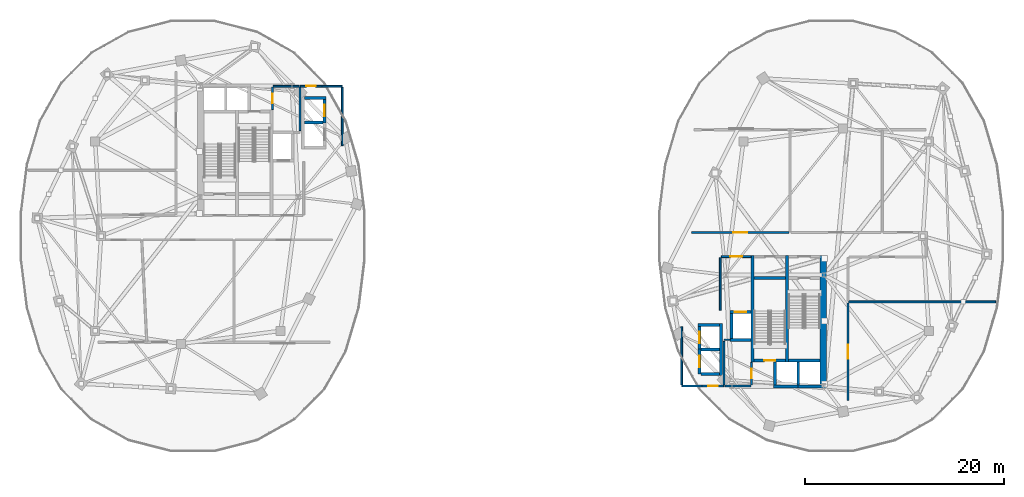
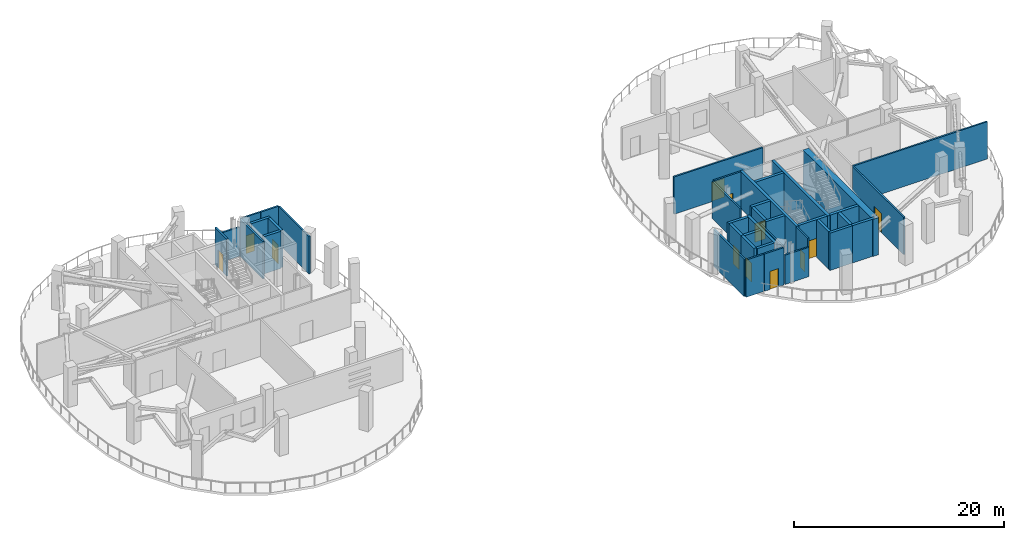
# One storey, part 8 of 14: 40 walls, 12 doors, 12 openings.
"""IFC4 building model written with IfcOpenShell, lengths in metres."""

from ifc_helpers import new_model, si_unit, direction, frame, frame_2d, origin, place, context, subcontext, project, spatial, rectangle, extrude, material, layer, layer_set, type_object, element, fill, save


model = new_model("IFC4")

# Units and contexts
model_context = context("Model", 3, precision=1e-05, world=origin(), true_north=direction((0.0, 1.0)))
body_context = subcontext(model_context, "Body", "Model", "MODEL_VIEW")
ifc_project = project(units=[si_unit("LENGTHUNIT", "METRE"), si_unit("AREAUNIT", "SQUARE_METRE"), si_unit("VOLUMEUNIT", "CUBIC_METRE"), si_unit("PLANEANGLEUNIT", "RADIAN"), si_unit("MASSUNIT", "GRAM", prefix="KILO"), si_unit("THERMODYNAMICTEMPERATUREUNIT", "KELVIN"), si_unit("POWERUNIT", "WATT")], contexts=[model_context])

# Site, building, storey
site_placement = place(None, origin())
site = spatial("IfcSite", under=ifc_project, at=site_placement, CompositionType="ELEMENT")
building_placement = place(site_placement, origin())
building = spatial("IfcBuilding", under=site, at=building_placement, Name="Cundina Bronze Exchange", CompositionType="ELEMENT")
storey_placement = place(building_placement, frame((0.0, 0.0, 187.199951171875)))
storey = spatial("IfcBuildingStorey", under=building, at=storey_placement, Name="L49", CompositionType="ELEMENT", Elevation=187.199951171875)

# Wall
ifc_material_1 = material(Name="Gypsum Fireboard Partition EI120")
ifc_layer_1 = layer(ifc_material_1, 0.179931640625, Name="Gypsum Fireboard Partition EI120")
ifc_layer_set_1 = layer_set([ifc_layer_1], Name="Gypsum Fireboard Partition EI120")
wall_type_1 = type_object("IfcWallType", Name="WL-COR-180", PredefinedType="PARTITIONING", material=ifc_layer_set_1)
wall_1_placement = place(storey_placement, frame((20.889892578125, -7.449951171875, 0.0), z_axis=(0.0, 0.0, 1.0), x_axis=(0.0, 1.0, 0.0)))
element("IfcWall", 1, at=wall_1_placement, inside=storey, type_object=wall_type_1, Name="L49 E Firefighting Lobby Side Wall", PredefinedType="PARTITIONING", context=body_context, shape_type="SweptSolid", body=[
    extrude(rectangle(XDim=5.300048828125, YDim=0.179931640625, at=frame_2d((2.64990234375, 0.0))), origin(), (0.0, 0.0, 1.0), 4.340087890625),
])

# Wall, opening, door
wall_2_placement = place(storey_placement, frame((20.97998046875, -2.06005859375, 0.0), z_axis=(0.0, 0.0, 1.0), x_axis=(1.0, 0.0, 0.0)))
wall_2 = element("IfcWall", 2, at=wall_2_placement, inside=storey, type_object=wall_type_1, Name="L49 E Firefighting Lobby Exit Wall", PredefinedType="PARTITIONING", context=body_context, shape_type="SweptSolid", body=[
    extrude(rectangle(XDim=3.0, YDim=0.179931640625, at=frame_2d((1.5, 0.0))), origin(), (0.0, 0.0, 1.0), 4.340087890625),
])
opening_1_placement = place(wall_2_placement, frame((0.89990234375, 0.0, 0.0)))
opening_1 = element("IfcOpeningElement", 3, at=opening_1_placement, cuts=wall_2, Name="Opening DF-01", PredefinedType="OPENING", context=body_context, shape_type="SweptSolid", body=[
    extrude(rectangle(XDim=1.199951171875, YDim=2.14990234375, at=frame_2d((0.60009765625, 1.074951171875))), frame((0.0, 0.099853515625, 0.0), z_axis=(0.0, -1.0, 0.0), x_axis=(1.0, 0.0, 0.0)), (0.0, 0.0, 1.0), 0.199951171875),
])
ifc_material_2 = material(Name="Steel ASTM A36 Painted", Category="steel")
door_type_1 = type_object("IfcDoorType", Name="DR-FFL-1200", OperationType="NOTDEFINED", PredefinedType="DOOR", material=ifc_material_2)
door_1_placement = place(opening_1_placement, origin())
door_1 = element("IfcDoor", 4, at=door_1_placement, inside=storey, type_object=door_type_1, Name="L49 E Firefighting Lobby Door", OperationType="SINGLE_SWING_LEFT", OverallHeight=2.14990234375, OverallWidth=1.199951171875, PredefinedType="DOOR", context=body_context, shape_type="SweptSolid", body=[
    extrude(rectangle(XDim=1.199951171875, YDim=2.14990234375, at=frame_2d((0.60009765625, 1.074951171875))), frame((0.0, 0.02490234375, 0.0), z_axis=(0.0, -1.0, 0.0), x_axis=(1.0, 0.0, 0.0)), (0.0, 0.0, 1.0), 0.050048828125),
])
fill(opening_1, door_1)

# Wall
wall_3_placement = place(storey_placement, frame((-17.02001953125, 9.070068359375, 0.0), z_axis=(0.0, 0.0, 1.0), x_axis=(0.0, 1.0, 0.0)))
element("IfcWall", 5, at=wall_3_placement, inside=storey, type_object=wall_type_1, Name="L49 Interior Partition 001", PredefinedType="PARTITIONING", context=body_context, shape_type="SweptSolid", body=[
    extrude(rectangle(XDim=5.85986328125, YDim=0.179931640625, at=frame_2d((2.929931640625, 0.0))), origin(), (0.0, 0.0, 1.0), 4.340087890625),
])

# Wall, opening, door
wall_4_placement = place(storey_placement, frame((-21.22998046875, 15.030029296875, 0.0), z_axis=(0.0, 0.0, 1.0), x_axis=(1.0, 0.0, 0.0)))
wall_4 = element("IfcWall", 6, at=wall_4_placement, inside=storey, type_object=wall_type_1, Name="L49 Interior Partition 002", PredefinedType="PARTITIONING", context=body_context, shape_type="SweptSolid", body=[
    extrude(rectangle(XDim=2.159912109375, YDim=0.179931640625, at=frame_2d((1.080078125, 0.0))), origin(), (0.0, 0.0, 1.0), 4.340087890625),
])
opening_2_placement = place(wall_4_placement, frame((0.60498046875, 0.0, 0.0)))
opening_2 = element("IfcOpeningElement", 7, at=opening_2_placement, cuts=wall_4, Name="Opening DW-01", PredefinedType="OPENING", context=body_context, shape_type="SweptSolid", body=[
    extrude(rectangle(XDim=0.949951171875, YDim=2.10009765625, at=frame_2d((0.47509765625, 1.050048828125))), frame((0.0, 0.099853515625, 0.0), z_axis=(0.0, -1.0, 0.0), x_axis=(1.0, 0.0, 0.0)), (0.0, 0.0, 1.0), 0.199951171875),
])
ifc_material_3 = material(Name="Solid Andean Oak Timber Grade A", Category="wood")
door_type_2 = type_object("IfcDoorType", Name="DR-WC-950", OperationType="NOTDEFINED", PredefinedType="DOOR", material=ifc_material_3)
door_2_placement = place(opening_2_placement, origin())
door_2 = element("IfcDoor", 8, at=door_2_placement, inside=storey, type_object=door_type_2, Name="L49 Interior Door 002", OperationType="SINGLE_SWING_LEFT", OverallHeight=2.10009765625, OverallWidth=0.949951171875, PredefinedType="DOOR", context=body_context, shape_type="SweptSolid", body=[
    extrude(rectangle(XDim=0.949951171875, YDim=2.10009765625, at=frame_2d((0.47509765625, 1.050048828125))), frame((0.0, 0.02490234375, 0.0), z_axis=(0.0, -1.0, 0.0), x_axis=(1.0, 0.0, 0.0)), (0.0, 0.0, 1.0), 0.050048828125),
])
fill(opening_2, door_2)

# Walls
wall_5_placement = place(storey_placement, frame((-19.030029296875, 15.030029296875, 0.0), z_axis=(0.0, 0.0, 1.0), x_axis=(1.0, 0.0, 0.0)))
element("IfcWall", 9, at=wall_5_placement, inside=storey, type_object=wall_type_1, Name="L49 Interior Partition 003", PredefinedType="PARTITIONING", context=body_context, shape_type="SweptSolid", body=[
    extrude(rectangle(XDim=1.989990234375, YDim=0.179931640625, at=frame_2d((0.9951171875, 0.0))), origin(), (0.0, 0.0, 1.0), 4.340087890625),
])
wall_6_placement = place(storey_placement, frame((-21.25, 10.570068359375, 0.0), z_axis=(0.0, 0.0, 1.0), x_axis=(0.0, 1.0, 0.0)))
element("IfcWall", 10, at=wall_6_placement, inside=storey, type_object=wall_type_1, Name="L49 Interior Partition 005", PredefinedType="PARTITIONING", context=body_context, shape_type="SweptSolid", body=[
    extrude(rectangle(XDim=4.35986328125, YDim=0.179931640625, at=frame_2d((2.179931640625, 0.0))), origin(), (0.0, 0.0, 1.0), 4.340087890625),
])
wall_7_placement = place(storey_placement, frame((-23.9599609375, 15.030029296875, 0.0), z_axis=(0.0, 0.0, 1.0), x_axis=(1.0, 0.0, 0.0)))
element("IfcWall", 11, at=wall_7_placement, inside=storey, type_object=wall_type_1, Name="L49 Interior Partition 006", PredefinedType="PARTITIONING", context=body_context, shape_type="SweptSolid", body=[
    extrude(rectangle(XDim=2.60986328125, YDim=0.179931640625, at=frame_2d((1.304931640625, 0.0))), origin(), (0.0, 0.0, 1.0), 3.4130859375),
])

# Wall, opening, door
wall_8_placement = place(storey_placement, frame((-24.02001953125, 12.669921875, 0.0), z_axis=(0.0, 0.0, 1.0), x_axis=(0.0, 1.0, 0.0)))
wall_8 = element("IfcWall", 12, at=wall_8_placement, inside=storey, type_object=wall_type_1, Name="L49 Interior Partition 008", PredefinedType="PARTITIONING", context=body_context, shape_type="SweptSolid", body=[
    extrude(rectangle(XDim=2.260009765625, YDim=0.179931640625, at=frame_2d((1.1298828125, 0.0))), origin(), (0.0, 0.0, 1.0), 4.340087890625),
])
opening_3_placement = place(wall_8_placement, frame((0.655029296875, 0.0, 0.0)))
opening_3 = element("IfcOpeningElement", 13, at=opening_3_placement, cuts=wall_8, Name="Opening DW-01", PredefinedType="OPENING", context=body_context, shape_type="SweptSolid", body=[
    extrude(rectangle(XDim=0.949951171875, YDim=2.10009765625, at=frame_2d((0.47509765625, 1.050048828125))), frame((0.0, 0.099853515625, 0.0), z_axis=(0.0, -1.0, 0.0), x_axis=(1.0, 0.0, 0.0)), (0.0, 0.0, 1.0), 0.199951171875),
])
door_3_placement = place(opening_3_placement, origin())
door_3 = element("IfcDoor", 14, at=door_3_placement, inside=storey, type_object=door_type_2, Name="L49 Interior Door 008", OperationType="SINGLE_SWING_LEFT", OverallHeight=2.10009765625, OverallWidth=0.949951171875, PredefinedType="DOOR", context=body_context, shape_type="SweptSolid", body=[
    extrude(rectangle(XDim=0.949951171875, YDim=2.10009765625, at=frame_2d((0.47509765625, 1.050048828125))), frame((0.0, 0.02490234375, 0.0), z_axis=(0.0, -1.0, 0.0), x_axis=(1.0, 0.0, 0.0)), (0.0, 0.0, 1.0), 0.050048828125),
])
fill(opening_3, door_3)

# Walls
wall_9_placement = place(storey_placement, frame((17.02001953125, -14.929931640625, 0.0), z_axis=(0.0, 0.0, 1.0), x_axis=(0.0, 1.0, 0.0)))
element("IfcWall", 15, at=wall_9_placement, inside=storey, type_object=wall_type_1, Name="L49 Interior Partition 019", PredefinedType="PARTITIONING", context=body_context, shape_type="SweptSolid", body=[
    extrude(rectangle(XDim=5.85986328125, YDim=0.179931640625, at=frame_2d((2.929931640625, 0.0))), origin(), (0.0, 0.0, 1.0), 4.340087890625),
])
wall_10_placement = place(storey_placement, frame((17.0400390625, -15.030029296875, 0.0), z_axis=(0.0, 0.0, 1.0), x_axis=(1.0, 0.0, 0.0)))
element("IfcWall", 16, at=wall_10_placement, inside=storey, type_object=wall_type_1, Name="L49 Interior Partition 020", PredefinedType="PARTITIONING", context=body_context, shape_type="SweptSolid", body=[
    extrude(rectangle(XDim=1.989990234375, YDim=0.179931640625, at=frame_2d((0.9951171875, 0.0))), origin(), (0.0, 0.0, 1.0), 4.340087890625),
])

# Wall, opening, door
wall_11_placement = place(storey_placement, frame((21.22998046875, -15.030029296875, 0.0), z_axis=(0.0, 0.0, 1.0), x_axis=(-1.0, 0.0, 0.0)))
wall_11 = element("IfcWall", 17, at=wall_11_placement, inside=storey, type_object=wall_type_1, Name="L49 Interior Partition 021", PredefinedType="PARTITIONING", context=body_context, shape_type="SweptSolid", body=[
    extrude(rectangle(XDim=2.159912109375, YDim=0.179931640625, at=frame_2d((1.080078125, 0.0))), origin(), (0.0, 0.0, 1.0), 4.340087890625),
])
opening_4_placement = place(wall_11_placement, frame((0.60498046875, 0.0, 0.0)))
opening_4 = element("IfcOpeningElement", 18, at=opening_4_placement, cuts=wall_11, Name="Opening DW-01", PredefinedType="OPENING", context=body_context, shape_type="SweptSolid", body=[
    extrude(rectangle(XDim=0.949951171875, YDim=2.10009765625, at=frame_2d((0.47509765625, 1.050048828125))), frame((0.0, 0.099853515625, 0.0), z_axis=(0.0, -1.0, 0.0), x_axis=(1.0, 0.0, 0.0)), (0.0, 0.0, 1.0), 0.199951171875),
])
door_4_placement = place(opening_4_placement, origin())
door_4 = element("IfcDoor", 19, at=door_4_placement, inside=storey, type_object=door_type_2, Name="L49 Interior Door 021", OperationType="SINGLE_SWING_RIGHT", OverallHeight=2.10009765625, OverallWidth=0.949951171875, PredefinedType="DOOR", context=body_context, shape_type="SweptSolid", body=[
    extrude(rectangle(XDim=0.949951171875, YDim=2.10009765625, at=frame_2d((0.47509765625, 1.050048828125))), frame((0.0, 0.02490234375, 0.0), z_axis=(0.0, -1.0, 0.0), x_axis=(1.0, 0.0, 0.0)), (0.0, 0.0, 1.0), 0.050048828125),
])
fill(opening_4, door_4)

# Walls
wall_12_placement = place(storey_placement, frame((21.25, -14.929931640625, 0.0), z_axis=(0.0, 0.0, 1.0), x_axis=(0.0, 1.0, 0.0)))
element("IfcWall", 20, at=wall_12_placement, inside=storey, type_object=wall_type_1, Name="L49 Interior Partition 023", PredefinedType="PARTITIONING", context=body_context, shape_type="SweptSolid", body=[
    extrude(rectangle(XDim=4.35986328125, YDim=0.179931640625, at=frame_2d((2.179931640625, 0.0))), origin(), (0.0, 0.0, 1.0), 4.340087890625),
])
wall_13_placement = place(storey_placement, frame((21.35009765625, -15.030029296875, 0.0), z_axis=(0.0, 0.0, 1.0), x_axis=(1.0, 0.0, 0.0)))
element("IfcWall", 21, at=wall_13_placement, inside=storey, type_object=wall_type_1, Name="L49 Interior Partition 024", PredefinedType="PARTITIONING", context=body_context, shape_type="SweptSolid", body=[
    extrude(rectangle(XDim=2.60986328125, YDim=0.179931640625, at=frame_2d((1.304931640625, 0.0))), origin(), (0.0, 0.0, 1.0), 3.4130859375),
])

# Wall, opening, door
wall_14_placement = place(storey_placement, frame((24.02001953125, -14.929931640625, 0.0), z_axis=(0.0, 0.0, 1.0), x_axis=(0.0, 1.0, 0.0)))
wall_14 = element("IfcWall", 22, at=wall_14_placement, inside=storey, type_object=wall_type_1, Name="L49 Interior Partition 026", PredefinedType="PARTITIONING", context=body_context, shape_type="SweptSolid", body=[
    extrude(rectangle(XDim=2.260009765625, YDim=0.179931640625, at=frame_2d((1.1298828125, 0.0))), origin(), (0.0, 0.0, 1.0), 4.340087890625),
])
opening_5_placement = place(wall_14_placement, frame((0.655029296875, 0.0, 0.0)))
opening_5 = element("IfcOpeningElement", 23, at=opening_5_placement, cuts=wall_14, Name="Opening DW-01", PredefinedType="OPENING", context=body_context, shape_type="SweptSolid", body=[
    extrude(rectangle(XDim=0.949951171875, YDim=2.10009765625, at=frame_2d((0.47509765625, 1.050048828125))), frame((0.0, 0.099853515625, 0.0), z_axis=(0.0, -1.0, 0.0), x_axis=(1.0, 0.0, 0.0)), (0.0, 0.0, 1.0), 0.199951171875),
])
door_5_placement = place(opening_5_placement, origin())
door_5 = element("IfcDoor", 24, at=door_5_placement, inside=storey, type_object=door_type_2, Name="L49 Interior Door 026", OperationType="SINGLE_SWING_RIGHT", OverallHeight=2.10009765625, OverallWidth=0.949951171875, PredefinedType="DOOR", context=body_context, shape_type="SweptSolid", body=[
    extrude(rectangle(XDim=0.949951171875, YDim=2.10009765625, at=frame_2d((0.47509765625, 1.050048828125))), frame((0.0, 0.02490234375, 0.0), z_axis=(0.0, -1.0, 0.0), x_axis=(1.0, 0.0, 0.0)), (0.0, 0.0, 1.0), 0.050048828125),
])
fill(opening_5, door_5)

# Wall
wall_15_placement = place(storey_placement, frame((33.739990234375, -6.60009765625, 0.0), z_axis=(0.0, 0.0, 1.0), x_axis=(1.0, 0.0, 0.0)))
element("IfcWall", 25, at=wall_15_placement, inside=storey, type_object=wall_type_1, Name="L49 Interior Partition 028", PredefinedType="PARTITIONING", context=body_context, shape_type="SweptSolid", body=[
    extrude(rectangle(XDim=14.739990234375, YDim=0.179931640625, at=frame_2d((7.3701171875, 0.0))), origin(), (0.0, 0.0, 1.0), 4.340087890625),
])

# Wall, opening, door
wall_16_placement = place(storey_placement, frame((27.780029296875, 0.3701171875, 0.0), z_axis=(0.0, 0.0, 1.0), x_axis=(-1.0, 0.0, 0.0)))
wall_16 = element("IfcWall", 26, at=wall_16_placement, inside=storey, type_object=wall_type_1, Name="L49 Interior Partition 029", PredefinedType="PARTITIONING", context=body_context, shape_type="SweptSolid", body=[
    extrude(rectangle(XDim=9.760009765625, YDim=0.179931640625, at=frame_2d((4.8798828125, 0.0))), origin(), (0.0, 0.0, 1.0), 4.340087890625),
])
opening_6_placement = place(wall_16_placement, frame((4.179931640625, 0.0, 0.0)))
opening_6 = element("IfcOpeningElement", 27, at=opening_6_placement, cuts=wall_16, Name="Opening DP-01", PredefinedType="OPENING", context=body_context, shape_type="SweptSolid", body=[
    extrude(rectangle(XDim=1.39990234375, YDim=2.199951171875, at=frame_2d((0.699951171875, 1.10009765625))), frame((0.0, 0.099853515625, 0.0), z_axis=(0.0, -1.0, 0.0), x_axis=(1.0, 0.0, 0.0)), (0.0, 0.0, 1.0), 0.199951171875),
])
door_type_3 = type_object("IfcDoorType", Name="DR-PLT-1400", OperationType="NOTDEFINED", PredefinedType="DOOR", material=ifc_material_2)
door_6_placement = place(opening_6_placement, origin())
door_6 = element("IfcDoor", 28, at=door_6_placement, inside=storey, type_object=door_type_3, Name="L49 Interior Door 029", OperationType="SINGLE_SWING_RIGHT", OverallHeight=2.199951171875, OverallWidth=1.39990234375, PredefinedType="DOOR", context=body_context, shape_type="SweptSolid", body=[
    extrude(rectangle(XDim=1.39990234375, YDim=2.199951171875, at=frame_2d((0.699951171875, 1.10009765625))), frame((0.0, 0.02490234375, 0.0), z_axis=(0.0, -1.0, 0.0), x_axis=(1.0, 0.0, 0.0)), (0.0, 0.0, 1.0), 0.050048828125),
])
fill(opening_6, door_6)

wall_17_placement = place(storey_placement, frame((33.68994140625, -16.47998046875, 0.0), z_axis=(0.0, 0.0, 1.0), x_axis=(0.0, 1.0, 0.0)))
wall_17 = element("IfcWall", 29, at=wall_17_placement, inside=storey, type_object=wall_type_1, Name="L49 Interior Partition 035", PredefinedType="PARTITIONING", context=body_context, shape_type="SweptSolid", body=[
    extrude(rectangle(XDim=9.780029296875, YDim=0.179931640625, at=frame_2d((4.89013671875, 0.0))), origin(), (0.0, 0.0, 1.0), 4.340087890625),
])
opening_7_placement = place(wall_17_placement, frame((4.18994140625, 0.0, 0.0)))
opening_7 = element("IfcOpeningElement", 30, at=opening_7_placement, cuts=wall_17, Name="Opening DP-01", PredefinedType="OPENING", context=body_context, shape_type="SweptSolid", body=[
    extrude(rectangle(XDim=1.39990234375, YDim=2.199951171875, at=frame_2d((0.699951171875, 1.10009765625))), frame((0.0, 0.099853515625, 0.0), z_axis=(0.0, -1.0, 0.0), x_axis=(1.0, 0.0, 0.0)), (0.0, 0.0, 1.0), 0.199951171875),
])
door_7_placement = place(opening_7_placement, origin())
door_7 = element("IfcDoor", 31, at=door_7_placement, inside=storey, type_object=door_type_3, Name="L49 Interior Door 035", OperationType="SINGLE_SWING_RIGHT", OverallHeight=2.199951171875, OverallWidth=1.39990234375, PredefinedType="DOOR", context=body_context, shape_type="SweptSolid", body=[
    extrude(rectangle(XDim=1.39990234375, YDim=2.199951171875, at=frame_2d((0.699951171875, 1.10009765625))), frame((0.0, 0.02490234375, 0.0), z_axis=(0.0, -1.0, 0.0), x_axis=(1.0, 0.0, 0.0)), (0.0, 0.0, 1.0), 0.050048828125),
])
fill(opening_7, door_7)

# Walls
ifc_material_4 = material(Name="Concrete C50/60", Category="concrete")
ifc_layer_2 = layer(ifc_material_4, 0.64990234375, Name="Concrete C50/60", Category="concrete")
ifc_layer_set_2 = layer_set([ifc_layer_2], Name="Concrete C50/60")
wall_type_2 = type_object("IfcWallType", Name="WL-CORE-650", PredefinedType="SHEAR", material=ifc_layer_set_2)
wall_18_placement = place(storey_placement, frame((31.22509765625, -15.300048828125, 0.0), z_axis=(0.0, 0.0, 1.0), x_axis=(0.0, 1.0, 0.0)))
element("IfcWall", 32, at=wall_18_placement, inside=storey, type_object=wall_type_2, Name="L49 E Primary Core Shear Spine Wall", PredefinedType="SHEAR", context=body_context, shape_type="SweptSolid", body=[
    extrude(rectangle(XDim=13.330078125, YDim=0.64990234375, at=frame_2d((6.6650390625, 0.0))), origin(), (0.0, 0.0, 1.0), 4.340087890625),
])
ifc_layer_3 = layer(ifc_material_4, 0.300048828125, Name="Concrete C50/60", Category="concrete")
ifc_layer_set_3 = layer_set([ifc_layer_3], Name="Concrete C50/60")
wall_type_3 = type_object("IfcWallType", Name="WL-SHFT-300", PredefinedType="SHEAR", material=ifc_layer_set_3)
wall_19_placement = place(storey_placement, frame((-20.800048828125, 13.85009765625, 0.0), z_axis=(0.0, 0.0, 1.0), x_axis=(1.0, 0.0, 0.0)))
element("IfcWall", 33, at=wall_19_placement, inside=storey, type_object=wall_type_3, Name="L49 W Passenger Bank North Cap Wall", PredefinedType="SHEAR", context=body_context, shape_type="SweptSolid", body=[
    extrude(rectangle(XDim=2.150146484375, YDim=0.300048828125, at=frame_2d((1.0751953125, 0.0))), origin(), (0.0, 0.0, 1.0), 4.340087890625),
])
wall_20_placement = place(storey_placement, frame((-20.800048828125, 11.375, 0.0), z_axis=(0.0, 0.0, 1.0), x_axis=(1.0, 0.0, 0.0)))
element("IfcWall", 34, at=wall_20_placement, inside=storey, type_object=wall_type_3, Name="L49 W Passenger Hoistway Divider 1", PredefinedType="SHEAR", context=body_context, shape_type="SweptSolid", body=[
    extrude(rectangle(XDim=1.85009765625, YDim=0.300048828125, at=frame_2d((0.925048828125, 0.0))), origin(), (0.0, 0.0, 1.0), 4.340087890625),
])

# Wall, opening, door
wall_21_placement = place(storey_placement, frame((-18.800048828125, 11.330078125, 0.0), z_axis=(0.0, 0.0, 1.0), x_axis=(0.0, 1.0, 0.0)))
wall_21 = element("IfcWall", 35, at=wall_21_placement, inside=storey, type_object=wall_type_3, Name="L49 PM-W1 Hoistway Front Wall", PredefinedType="SHEAR", context=body_context, shape_type="SweptSolid", body=[
    extrude(rectangle(XDim=2.489990234375, YDim=0.300048828125, at=frame_2d((1.2451171875, 0.0))), origin(), (0.0, 0.0, 1.0), 4.340087890625),
])
opening_8_placement = place(wall_21_placement, frame((0.669921875, 0.0, 0.0)))
opening_8 = element("IfcOpeningElement", 36, at=opening_8_placement, cuts=wall_21, Name="Opening LD-01", PredefinedType="OPENING", context=body_context, shape_type="SweptSolid", body=[
    extrude(rectangle(XDim=1.14990234375, YDim=2.199951171875, at=frame_2d((0.574951171875, 1.10009765625))), frame((0.0, 0.159912109375, 0.0), z_axis=(0.0, -1.0, 0.0), x_axis=(1.0, 0.0, 0.0)), (0.0, 0.0, 1.0), 0.320068359375),
])
door_type_4 = type_object("IfcDoorType", Name="DR-LND-1150", OperationType="NOTDEFINED", PredefinedType="TRAPDOOR", material=ifc_material_2)
door_8_placement = place(opening_8_placement, origin())
door_8 = element("IfcDoor", 37, at=door_8_placement, inside=storey, type_object=door_type_4, Name="L49 PM-W1 Sliding Landing Door", OperationType="SLIDING_TO_LEFT", OverallHeight=2.199951171875, OverallWidth=1.14990234375, PredefinedType="TRAPDOOR", context=body_context, shape_type="SweptSolid", body=[
    extrude(rectangle(XDim=1.14990234375, YDim=2.199951171875, at=frame_2d((0.574951171875, 1.10009765625))), frame((0.0, 0.02490234375, 0.0), z_axis=(0.0, -1.0, 0.0), x_axis=(1.0, 0.0, 0.0)), (0.0, 0.0, 1.0), 0.050048828125),
])
fill(opening_8, door_8)

# Walls
for number, where, z_axis, x_axis, name in (
    (38, (27.590087890625, -12.64990234375, 0.0), (0.0, 0.0, 1.0), (0.0, 1.0, 0.0), "L49 E Stair Shaft Dividing Shear Wall"),
    (39, (24.1298828125, -12.64990234375, 0.0), (0.0, 0.0, 1.0), (0.0, 1.0, 0.0), "L49 E Stair 2 East Shear Wall"),
):
    element("IfcWall", number, at=place(storey_placement, frame(where, z_axis=z_axis, x_axis=x_axis)), inside=storey, type_object=wall_type_3, Name=name, PredefinedType="SHEAR", context=body_context, shape_type="SweptSolid", body=[
        extrude(rectangle(XDim=10.679931640625, YDim=0.300048828125, at=frame_2d((5.33984375, 0.0))), origin(), (0.0, 0.0, 1.0), 4.340087890625),
    ])
wall_22_placement = place(storey_placement, frame((27.739990234375, -12.5, 0.0), z_axis=(0.0, 0.0, 1.0), x_axis=(1.0, 0.0, 0.0)))
element("IfcWall", 40, at=wall_22_placement, inside=storey, type_object=wall_type_3, Name="L49 Stair E1 Far Shaft Wall", PredefinedType="SHEAR", context=body_context, shape_type="SweptSolid", body=[
    extrude(rectangle(XDim=3.159912109375, YDim=0.300048828125, at=frame_2d((1.580078125, 0.0))), origin(), (0.0, 0.0, 1.0), 4.340087890625),
])

# Wall, opening, door
wall_23_placement = place(storey_placement, frame((24.280029296875, -12.5, 0.0), z_axis=(0.0, 0.0, 1.0), x_axis=(1.0, 0.0, 0.0)))
wall_23 = element("IfcWall", 41, at=wall_23_placement, inside=storey, type_object=wall_type_3, Name="L49 Stair E2 Landing Wall", PredefinedType="SHEAR", context=body_context, shape_type="SweptSolid", body=[
    extrude(rectangle(XDim=3.159912109375, YDim=0.300048828125, at=frame_2d((1.580078125, 0.0))), origin(), (0.0, 0.0, 1.0), 4.340087890625),
])
opening_9_placement = place(wall_23_placement, frame((1.030029296875, 0.0, 0.0)))
opening_9 = element("IfcOpeningElement", 42, at=opening_9_placement, cuts=wall_23, Name="Opening DS-01", PredefinedType="OPENING", context=body_context, shape_type="SweptSolid", body=[
    extrude(rectangle(XDim=1.10009765625, YDim=2.14990234375, at=frame_2d((0.550048828125, 1.074951171875))), frame((0.0, 0.159912109375, 0.0), z_axis=(0.0, -1.0, 0.0), x_axis=(1.0, 0.0, 0.0)), (0.0, 0.0, 1.0), 0.320068359375),
])
door_type_5 = type_object("IfcDoorType", Name="DR-STR-1100", OperationType="NOTDEFINED", PredefinedType="DOOR", material=ifc_material_2)
door_9_placement = place(opening_9_placement, origin())
door_9 = element("IfcDoor", 43, at=door_9_placement, inside=storey, type_object=door_type_5, Name="L49 Smokeproof Stair E2 Door", OperationType="SINGLE_SWING_RIGHT", OverallHeight=2.14990234375, OverallWidth=1.10009765625, PredefinedType="DOOR", context=body_context, shape_type="SweptSolid", body=[
    extrude(rectangle(XDim=1.10009765625, YDim=2.14990234375, at=frame_2d((0.550048828125, 1.074951171875))), frame((0.0, 0.02490234375, 0.0), z_axis=(0.0, -1.0, 0.0), x_axis=(1.0, 0.0, 0.0)), (0.0, 0.0, 1.0), 0.050048828125),
])
fill(opening_9, door_9)

# Wall
wall_24_placement = place(storey_placement, frame((24.280029296875, -4.199951171875, 0.0), z_axis=(0.0, 0.0, 1.0), x_axis=(1.0, 0.0, 0.0)))
element("IfcWall", 44, at=wall_24_placement, inside=storey, type_object=wall_type_3, Name="L49 Stair E2 Far Shaft Wall", PredefinedType="SHEAR", context=body_context, shape_type="SweptSolid", body=[
    extrude(rectangle(XDim=3.159912109375, YDim=0.300048828125, at=frame_2d((1.580078125, 0.0))), origin(), (0.0, 0.0, 1.0), 4.340087890625),
])

# Wall, opening, door
wall_25_placement = place(storey_placement, frame((21.8798828125, -7.60009765625, 0.0), z_axis=(0.0, 0.0, 1.0), x_axis=(1.0, 0.0, 0.0)))
wall_25 = element("IfcWall", 45, at=wall_25_placement, inside=storey, type_object=wall_type_3, Name="L49 FFL-E Hoistway Front Wall", PredefinedType="SHEAR", context=body_context, shape_type="SweptSolid", body=[
    extrude(rectangle(XDim=2.10009765625, YDim=0.300048828125, at=frame_2d((1.050048828125, 0.0))), origin(), (0.0, 0.0, 1.0), 4.340087890625),
])
opening_10_placement = place(wall_25_placement, frame((0.47509765625, 0.0, 0.0)))
opening_10 = element("IfcOpeningElement", 46, at=opening_10_placement, cuts=wall_25, Name="Opening LD-01", PredefinedType="OPENING", context=body_context, shape_type="SweptSolid", body=[
    extrude(rectangle(XDim=1.14990234375, YDim=2.199951171875, at=frame_2d((0.574951171875, 1.10009765625))), frame((0.0, 0.159912109375, 0.0), z_axis=(0.0, -1.0, 0.0), x_axis=(1.0, 0.0, 0.0)), (0.0, 0.0, 1.0), 0.320068359375),
])
door_10_placement = place(opening_10_placement, origin())
door_10 = element("IfcDoor", 47, at=door_10_placement, inside=storey, type_object=door_type_4, Name="L49 FFL-E Sliding Landing Door", OperationType="SLIDING_TO_LEFT", OverallHeight=2.199951171875, OverallWidth=1.14990234375, PredefinedType="TRAPDOOR", context=body_context, shape_type="SweptSolid", body=[
    extrude(rectangle(XDim=1.14990234375, YDim=2.199951171875, at=frame_2d((0.574951171875, 1.10009765625))), frame((0.0, 0.02490234375, 0.0), z_axis=(0.0, -1.0, 0.0), x_axis=(1.0, 0.0, 0.0)), (0.0, 0.0, 1.0), 0.050048828125),
])
fill(opening_10, door_10)

# Walls
wall_26_placement = place(storey_placement, frame((21.8798828125, -10.39990234375, 0.0), z_axis=(0.0, 0.0, 1.0), x_axis=(1.0, 0.0, 0.0)))
element("IfcWall", 48, at=wall_26_placement, inside=storey, type_object=wall_type_3, Name="L49 FFL-E Hoistway Back Wall", PredefinedType="SHEAR", context=body_context, shape_type="SweptSolid", body=[
    extrude(rectangle(XDim=2.10009765625, YDim=0.300048828125, at=frame_2d((1.050048828125, 0.0))), origin(), (0.0, 0.0, 1.0), 4.340087890625),
])
for number, where, z_axis, x_axis, name in (
    (49, (22.030029296875, -10.25, 0.0), (0.0, 0.0, 1.0), (0.0, 1.0, 0.0), "L49 FFL-E Hoistway Side Wall"),
    (50, (28.699951171875, -15.10009765625, 0.0), (0.0, 0.0, 1.0), (1.0, 0.0, 0.0), "L49 PH-E1 Hoistway Front Wall"),
):
    element("IfcWall", number, at=place(storey_placement, frame(where, z_axis=z_axis, x_axis=x_axis)), inside=storey, type_object=wall_type_3, Name=name, PredefinedType="SHEAR", context=body_context, shape_type="SweptSolid", body=[
        extrude(rectangle(XDim=2.5, YDim=0.300048828125, at=frame_2d((1.25, 0.0))), origin(), (0.0, 0.0, 1.0), 4.340087890625),
    ])
wall_27_placement = place(storey_placement, frame((28.699951171875, -14.949951171875, 0.0), z_axis=(0.0, 0.0, 1.0), x_axis=(0.0, 1.0, 0.0)))
element("IfcWall", 51, at=wall_27_placement, inside=storey, type_object=wall_type_3, Name="L49 PH-E1 Hoistway Divider Wall", PredefinedType="SHEAR", context=body_context, shape_type="SweptSolid", body=[
    extrude(rectangle(XDim=2.300048828125, YDim=0.300048828125, at=frame_2d((1.14990234375, 0.0))), origin(), (0.0, 0.0, 1.0), 4.340087890625),
])
wall_28_placement = place(storey_placement, frame((26.199951171875, -15.10009765625, 0.0), z_axis=(0.0, 0.0, 1.0), x_axis=(1.0, 0.0, 0.0)))
element("IfcWall", 52, at=wall_28_placement, inside=storey, type_object=wall_type_3, Name="L49 PH-E2 Hoistway Front Wall", PredefinedType="SHEAR", context=body_context, shape_type="SweptSolid", body=[
    extrude(rectangle(XDim=2.5, YDim=0.300048828125, at=frame_2d((1.25, 0.0))), origin(), (0.0, 0.0, 1.0), 4.340087890625),
])
wall_29_placement = place(storey_placement, frame((26.35009765625, -14.949951171875, 0.0), z_axis=(0.0, 0.0, 1.0), x_axis=(0.0, 1.0, 0.0)))
element("IfcWall", 53, at=wall_29_placement, inside=storey, type_object=wall_type_3, Name="L49 PH-E2 Hoistway Divider Wall", PredefinedType="SHEAR", context=body_context, shape_type="SweptSolid", body=[
    extrude(rectangle(XDim=2.300048828125, YDim=0.300048828125, at=frame_2d((1.14990234375, 0.0))), origin(), (0.0, 0.0, 1.0), 4.340087890625),
])
wall_30_placement = place(storey_placement, frame((20.949951171875, -14.0, 0.0), z_axis=(0.0, 0.0, 1.0), x_axis=(0.0, 1.0, 0.0)))
element("IfcWall", 54, at=wall_30_placement, inside=storey, type_object=wall_type_3, Name="L49 E Passenger Bank Hoistway Back Wall", PredefinedType="SHEAR", context=body_context, shape_type="SweptSolid", body=[
    extrude(rectangle(XDim=5.25, YDim=0.300048828125, at=frame_2d((2.625, 0.0))), origin(), (0.0, 0.0, 1.0), 4.340087890625),
])
wall_31_placement = place(storey_placement, frame((18.949951171875, -13.85009765625, 0.0), z_axis=(0.0, 0.0, 1.0), x_axis=(1.0, 0.0, 0.0)))
element("IfcWall", 55, at=wall_31_placement, inside=storey, type_object=wall_type_3, Name="L49 E Passenger Bank South Cap Wall", PredefinedType="SHEAR", context=body_context, shape_type="SweptSolid", body=[
    extrude(rectangle(XDim=1.85009765625, YDim=0.300048828125, at=frame_2d((0.925048828125, 0.0))), origin(), (0.0, 0.0, 1.0), 4.340087890625),
])
wall_32_placement = place(storey_placement, frame((18.64990234375, -8.89990234375, 0.0), z_axis=(0.0, 0.0, 1.0), x_axis=(1.0, 0.0, 0.0)))
element("IfcWall", 56, at=wall_32_placement, inside=storey, type_object=wall_type_3, Name="L49 E Passenger Bank North Cap Wall", PredefinedType="SHEAR", context=body_context, shape_type="SweptSolid", body=[
    extrude(rectangle(XDim=2.150146484375, YDim=0.300048828125, at=frame_2d((1.0751953125, 0.0))), origin(), (0.0, 0.0, 1.0), 4.340087890625),
])
wall_33_placement = place(storey_placement, frame((18.949951171875, -11.375, 0.0), z_axis=(0.0, 0.0, 1.0), x_axis=(1.0, 0.0, 0.0)))
element("IfcWall", 57, at=wall_33_placement, inside=storey, type_object=wall_type_3, Name="L49 E Passenger Hoistway Divider 1", PredefinedType="SHEAR", context=body_context, shape_type="SweptSolid", body=[
    extrude(rectangle(XDim=1.85009765625, YDim=0.300048828125, at=frame_2d((0.925048828125, 0.0))), origin(), (0.0, 0.0, 1.0), 4.340087890625),
])

# Wall, opening, door
wall_34_placement = place(storey_placement, frame((18.800048828125, -13.820068359375, 0.0), z_axis=(0.0, 0.0, 1.0), x_axis=(0.0, 1.0, 0.0)))
wall_34 = element("IfcWall", 58, at=wall_34_placement, inside=storey, type_object=wall_type_3, Name="L49 PM-E1 Hoistway Front Wall", PredefinedType="SHEAR", context=body_context, shape_type="SweptSolid", body=[
    extrude(rectangle(XDim=2.489990234375, YDim=0.300048828125, at=frame_2d((1.2451171875, 0.0))), origin(), (0.0, 0.0, 1.0), 4.340087890625),
])
opening_11_placement = place(wall_34_placement, frame((0.669921875, 0.0, 0.0)))
opening_11 = element("IfcOpeningElement", 59, at=opening_11_placement, cuts=wall_34, Name="Opening LD-01", PredefinedType="OPENING", context=body_context, shape_type="SweptSolid", body=[
    extrude(rectangle(XDim=1.14990234375, YDim=2.199951171875, at=frame_2d((0.574951171875, 1.10009765625))), frame((0.0, 0.159912109375, 0.0), z_axis=(0.0, -1.0, 0.0), x_axis=(1.0, 0.0, 0.0)), (0.0, 0.0, 1.0), 0.320068359375),
])
door_11_placement = place(opening_11_placement, origin())
door_11 = element("IfcDoor", 60, at=door_11_placement, inside=storey, type_object=door_type_4, Name="L49 PM-E1 Sliding Landing Door", OperationType="SLIDING_TO_LEFT", OverallHeight=2.199951171875, OverallWidth=1.14990234375, PredefinedType="TRAPDOOR", context=body_context, shape_type="SweptSolid", body=[
    extrude(rectangle(XDim=1.14990234375, YDim=2.199951171875, at=frame_2d((0.574951171875, 1.10009765625))), frame((0.0, 0.02490234375, 0.0), z_axis=(0.0, -1.0, 0.0), x_axis=(1.0, 0.0, 0.0)), (0.0, 0.0, 1.0), 0.050048828125),
])
fill(opening_11, door_11)

wall_35_placement = place(storey_placement, frame((18.800048828125, -11.419921875, 0.0), z_axis=(0.0, 0.0, 1.0), x_axis=(0.0, 1.0, 0.0)))
wall_35 = element("IfcWall", 61, at=wall_35_placement, inside=storey, type_object=wall_type_3, Name="L49 PM-E2 Hoistway Front Wall", PredefinedType="SHEAR", context=body_context, shape_type="SweptSolid", body=[
    extrude(rectangle(XDim=2.489990234375, YDim=0.300048828125, at=frame_2d((1.2451171875, 0.0))), origin(), (0.0, 0.0, 1.0), 4.340087890625),
])
opening_12_placement = place(wall_35_placement, frame((0.669921875, 0.0, 0.0)))
opening_12 = element("IfcOpeningElement", 62, at=opening_12_placement, cuts=wall_35, Name="Opening LD-01", PredefinedType="OPENING", context=body_context, shape_type="SweptSolid", body=[
    extrude(rectangle(XDim=1.14990234375, YDim=2.199951171875, at=frame_2d((0.574951171875, 1.10009765625))), frame((0.0, 0.159912109375, 0.0), z_axis=(0.0, -1.0, 0.0), x_axis=(1.0, 0.0, 0.0)), (0.0, 0.0, 1.0), 0.320068359375),
])
door_12_placement = place(opening_12_placement, origin())
door_12 = element("IfcDoor", 63, at=door_12_placement, inside=storey, type_object=door_type_4, Name="L49 PM-E2 Sliding Landing Door", OperationType="SLIDING_TO_LEFT", OverallHeight=2.199951171875, OverallWidth=1.14990234375, PredefinedType="TRAPDOOR", context=body_context, shape_type="SweptSolid", body=[
    extrude(rectangle(XDim=1.14990234375, YDim=2.199951171875, at=frame_2d((0.574951171875, 1.10009765625))), frame((0.0, 0.02490234375, 0.0), z_axis=(0.0, -1.0, 0.0), x_axis=(1.0, 0.0, 0.0)), (0.0, 0.0, 1.0), 0.050048828125),
])
fill(opening_12, door_12)

# Wall
ifc_material_5 = material(Name="Moisture-Resistant Masonry Block Grade M15", Category="masonry")
ifc_layer_4 = layer(ifc_material_5, 0.139892578125, Name="Moisture-Resistant Masonry Block Grade M15", Category="masonry")
ifc_layer_set_4 = layer_set([ifc_layer_4], Name="Moisture-Resistant Masonry Block Grade M15")
wall_type_4 = type_object("IfcWallType", Name="WL-WET-140", PredefinedType="PARTITIONING", material=ifc_layer_set_4)
wall_36_placement = place(storey_placement, frame((21.27001953125, -10.39990234375, 0.0), z_axis=(0.0, 0.0, 1.0), x_axis=(1.0, 0.0, 0.0)))
element("IfcWall", 64, at=wall_36_placement, inside=storey, type_object=wall_type_4, Name="L49 Interior Partition 022", PredefinedType="PARTITIONING", context=body_context, shape_type="SweptSolid", body=[
    extrude(rectangle(XDim=0.590087890625, YDim=0.139892578125, at=frame_2d((0.294921875, 0.0))), origin(), (0.0, 0.0, 1.0), 4.340087890625),
])

save(model, "model.ifc")
